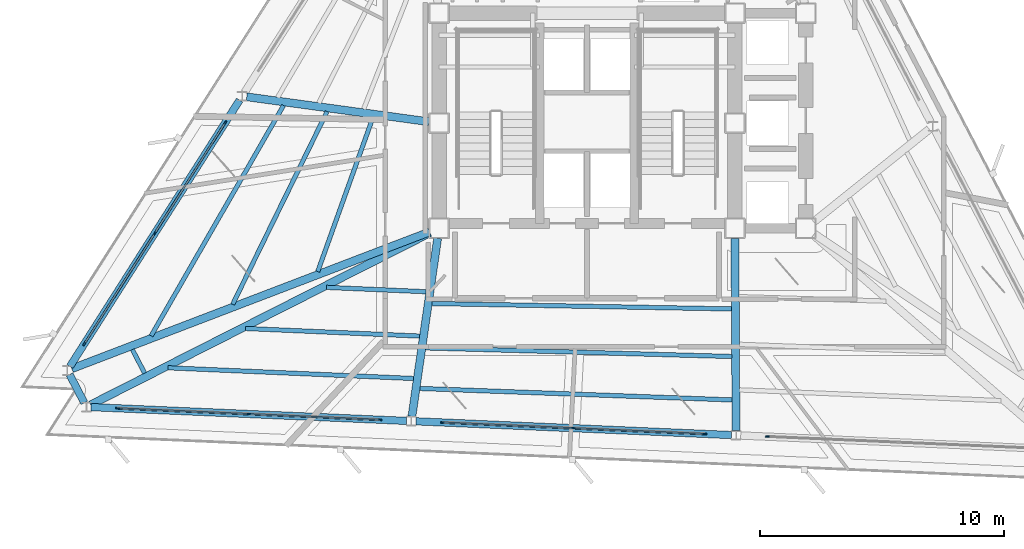
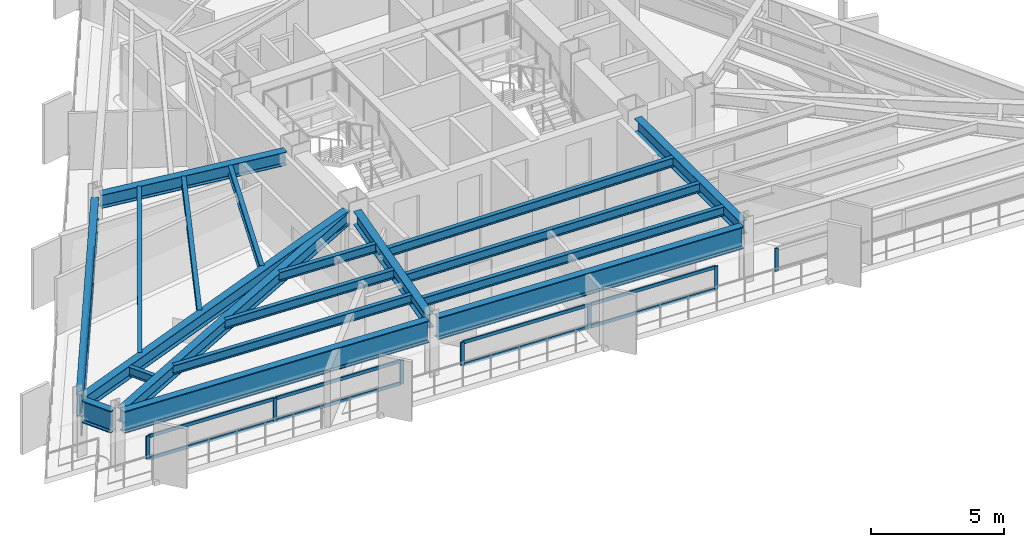
# One storey, part 2 of 12: 22 members, 19 beams, 4 elements without a shape of their own.
"""IFC4 building model written with IfcOpenShell, lengths in metres."""

from ifc_helpers import new_model, si_unit, direction, frame, origin, origin_2d, place, context, subcontext, project, spatial, rectangle, i_section, extrude, material, layer, layer_set, material_profile, profile_set, type_object, element, aggregate, save


model = new_model("IFC4")

# Units and contexts
model_context = context("Model", 3, precision=1e-05, world=origin(), true_north=direction((0.0, 1.0)))
body_context = subcontext(model_context, "Body", "Model", "MODEL_VIEW")
ifc_project = project(units=[si_unit("LENGTHUNIT", "METRE"), si_unit("AREAUNIT", "SQUARE_METRE"), si_unit("VOLUMEUNIT", "CUBIC_METRE"), si_unit("PLANEANGLEUNIT", "RADIAN"), si_unit("MASSUNIT", "GRAM", prefix="KILO")], contexts=[model_context])

# Site, building, storey
site_placement = place(None, origin())
site = spatial("IfcSite", under=ifc_project, at=site_placement, CompositionType="ELEMENT")
building_placement = place(site_placement, origin())
building = spatial("IfcBuilding", under=site, at=building_placement, Name="Rocaltana Carrier Exchange", CompositionType="ELEMENT")
storey_placement = place(building_placement, frame((0.0, 0.0, 144.159912109375)))
storey = spatial("IfcBuildingStorey", under=building, at=storey_placement, Name="L45", CompositionType="ELEMENT", Elevation=144.159912109375)

# Curtain wall, members
ifc_material_1 = material(Name="Aluminium 6063-T6", Category="aluminium")
ifc_layer = layer(ifc_material_1, 0.14990234375)
ifc_layer_set = layer_set([ifc_layer], Name="Aluminium 6063-T6")
curtain_wall_type = type_object("IfcCurtainWallType", Name="Mid-Tower Unitised Curtain Wall CW-03", PredefinedType="NOTDEFINED", material=ifc_layer_set)
curtain_wall_1_placement = place(storey_placement, origin())
curtain_wall_1 = element("IfcCurtainWall", 1, at=curtain_wall_1_placement, inside=storey, type_object=curtain_wall_type, Name="L45 CW-03 Run CW-L45-F2S3", PredefinedType="NOTDEFINED")
ifc_material_2 = material(Name="Aluminium 6063-T6", Category="aluminium")
ifc_material_profile_1 = material_profile(ifc_material_2, rectangle(XDim=0.06005859375, YDim=0.14990234375, at=origin_2d()), Name="AL-60X150")
ifc_profile_set_1 = profile_set([ifc_material_profile_1], Name="Aluminium 6063-T6")
member_type_1 = type_object("IfcMemberType", Name="CW-03 Mullion AL-60X150", PredefinedType="MULLION", material=ifc_profile_set_1)
member_1_placement = place(storey_placement, frame((-14.79541015625, 0.023193359375, 0.0), z_axis=(0.0, 0.0, 1.0), x_axis=(0.843390685726, -0.537300801443, 0.0)))
member_1 = element("IfcMember", 2, at=member_1_placement, type_object=member_type_1, Name="CW-03 mullion 1", PredefinedType="MULLION", context=body_context, shape_type="SweptSolid", body=[
    extrude(rectangle(XDim=0.06005859375, YDim=0.14990234375, at=origin_2d()), origin(), (0.0, 0.0, 1.0), 1.078125),
])
member_2_placement = place(storey_placement, frame((-17.680908203125, -4.505859375, 0.0), z_axis=(0.0, 0.0, 1.0), x_axis=(0.843390685726, -0.537300801443, 0.0)))
member_2 = element("IfcMember", 3, at=member_2_placement, type_object=member_type_1, Name="CW-03 mullion 2", PredefinedType="MULLION", context=body_context, shape_type="SweptSolid", body=[
    extrude(rectangle(XDim=0.06005859375, YDim=0.14990234375, at=origin_2d()), origin(), (0.0, 0.0, 1.0), 1.078125),
])
member_3_placement = place(storey_placement, frame((-20.566162109375, -9.034912109375, 0.0), z_axis=(0.0, 0.0, 1.0), x_axis=(0.843390685726, -0.537300801443, 0.0)))
member_3 = element("IfcMember", 4, at=member_3_placement, type_object=member_type_1, Name="CW-03 mullion 3", PredefinedType="MULLION", context=body_context, shape_type="SweptSolid", body=[
    extrude(rectangle(XDim=0.06005859375, YDim=0.14990234375, at=origin_2d()), origin(), (0.0, 0.0, 1.0), 1.078125),
])

curtain_wall_2_placement = place(storey_placement, origin())
curtain_wall_2 = element("IfcCurtainWall", 5, at=curtain_wall_2_placement, inside=storey, type_object=curtain_wall_type, Name="L45 CW-03 Run CW-L45-F3S1", PredefinedType="NOTDEFINED")
member_4_placement = place(storey_placement, frame((-19.197021484375, -11.66455078125, 0.0), z_axis=(0.0, 0.0, 1.0), x_axis=(0.043629290456, 0.999047789154, 0.0)))
member_4 = element("IfcMember", 6, at=member_4_placement, type_object=member_type_1, Name="CW-03 mullion 1", PredefinedType="MULLION", context=body_context, shape_type="SweptSolid", body=[
    extrude(rectangle(XDim=0.06005859375, YDim=0.14990234375, at=origin_2d()), origin(), (0.0, 0.0, 1.0), 1.078125),
])
member_5_placement = place(storey_placement, frame((-13.832275390625, -11.89892578125, 0.0), z_axis=(0.0, 0.0, 1.0), x_axis=(0.043629290456, 0.999047789154, 0.0)))
member_5 = element("IfcMember", 7, at=member_5_placement, type_object=member_type_1, Name="CW-03 mullion 2", PredefinedType="MULLION", context=body_context, shape_type="SweptSolid", body=[
    extrude(rectangle(XDim=0.06005859375, YDim=0.14990234375, at=origin_2d()), origin(), (0.0, 0.0, 1.0), 1.078125),
])
member_6_placement = place(storey_placement, frame((-8.46728515625, -12.13330078125, 0.0), z_axis=(0.0, 0.0, 1.0), x_axis=(0.043629290456, 0.999047789154, 0.0)))
member_6 = element("IfcMember", 8, at=member_6_placement, type_object=member_type_1, Name="CW-03 mullion 3", PredefinedType="MULLION", context=body_context, shape_type="SweptSolid", body=[
    extrude(rectangle(XDim=0.06005859375, YDim=0.14990234375, at=origin_2d()), origin(), (0.0, 0.0, 1.0), 1.078125),
])

curtain_wall_3_placement = place(storey_placement, origin())
curtain_wall_3 = element("IfcCurtainWall", 9, at=curtain_wall_3_placement, inside=storey, type_object=curtain_wall_type, Name="L45 CW-03 Run CW-L45-F3S2", PredefinedType="NOTDEFINED")
member_7_placement = place(storey_placement, frame((-5.90966796875, -12.244873046875, 0.0), z_axis=(0.0, 0.0, 1.0), x_axis=(0.043620452398, 0.999048175081, 0.0)))
member_7 = element("IfcMember", 10, at=member_7_placement, type_object=member_type_1, Name="CW-03 mullion 1", PredefinedType="MULLION", context=body_context, shape_type="SweptSolid", body=[
    extrude(rectangle(XDim=0.06005859375, YDim=0.14990234375, at=origin_2d()), origin(), (0.0, 0.0, 1.0), 1.078125),
])
member_8_placement = place(storey_placement, frame((-0.544921875, -12.47900390625, 0.0), z_axis=(0.0, 0.0, 1.0), x_axis=(0.043620452398, 0.999048175081, 0.0)))
member_8 = element("IfcMember", 11, at=member_8_placement, type_object=member_type_1, Name="CW-03 mullion 2", PredefinedType="MULLION", context=body_context, shape_type="SweptSolid", body=[
    extrude(rectangle(XDim=0.06005859375, YDim=0.14990234375, at=origin_2d()), origin(), (0.0, 0.0, 1.0), 1.078125),
])
member_9_placement = place(storey_placement, frame((4.820068359375, -12.71337890625, 0.0), z_axis=(0.0, 0.0, 1.0), x_axis=(0.043620452398, 0.999048175081, 0.0)))
member_9 = element("IfcMember", 12, at=member_9_placement, type_object=member_type_1, Name="CW-03 mullion 3", PredefinedType="MULLION", context=body_context, shape_type="SweptSolid", body=[
    extrude(rectangle(XDim=0.06005859375, YDim=0.14990234375, at=origin_2d()), origin(), (0.0, 0.0, 1.0), 1.078125),
])

# Curtain wall, member
curtain_wall_4_placement = place(storey_placement, origin())
curtain_wall_4 = element("IfcCurtainWall", 13, at=curtain_wall_4_placement, inside=storey, type_object=curtain_wall_type, Name="L45 CW-03 Run CW-L45-F3S3", PredefinedType="NOTDEFINED")
member_10_placement = place(storey_placement, frame((7.377685546875, -12.824951171875, 0.0), z_axis=(0.0, 0.0, 1.0), x_axis=(0.043629290456, 0.999047789154, 0.0)))
member_10 = element("IfcMember", 14, at=member_10_placement, type_object=member_type_1, Name="CW-03 mullion 1", PredefinedType="MULLION", context=body_context, shape_type="SweptSolid", body=[
    extrude(rectangle(XDim=0.06005859375, YDim=0.14990234375, at=origin_2d()), origin(), (0.0, 0.0, 1.0), 1.078125),
])
aggregate(curtain_wall_4, [member_10])

# Member
ifc_material_3 = material(Name="Aluminium 6063-T6", Category="aluminium")
ifc_material_profile_2 = material_profile(ifc_material_3, rectangle(XDim=0.06005859375, YDim=0.14990234375, at=origin_2d()), Name="AL-60X150")
ifc_profile_set_2 = profile_set([ifc_material_profile_2], Name="Aluminium 6063-T6")
member_type_2 = type_object("IfcMemberType", Name="CW-03 Transom AL-60X150", PredefinedType="USERDEFINED", material=ifc_profile_set_2)
member_11_placement = place(storey_placement, frame((-14.8115234375, -0.001953125, 0.030029296875), z_axis=(-0.537318678484, -0.843379296493, 0.0), x_axis=(0.843379296493, -0.537318678484, 0.0)))
member_11 = element("IfcMember", 15, at=member_11_placement, type_object=member_type_2, Name="CW-03 transom 1.1", ObjectType="TRANSOM", PredefinedType="USERDEFINED", context=body_context, shape_type="SweptSolid", body=[
    extrude(rectangle(XDim=0.06005859375, YDim=0.14990234375, at=origin_2d()), origin(), (0.0, 0.0, 1.0), 5.310302734375),
])

member_12_placement = place(storey_placement, frame((-14.8115234375, -0.001953125, 1.048095703125), z_axis=(-0.537318678484, -0.843379296493, 0.0), x_axis=(0.843379296493, -0.537318678484, 0.0)))
member_12 = element("IfcMember", 16, at=member_12_placement, type_object=member_type_2, Name="CW-03 transom 1.2", ObjectType="TRANSOM", PredefinedType="USERDEFINED", context=body_context, shape_type="SweptSolid", body=[
    extrude(rectangle(XDim=0.06005859375, YDim=0.14990234375, at=origin_2d()), origin(), (0.0, 0.0, 1.0), 5.310302734375),
])

member_13_placement = place(storey_placement, frame((-17.697021484375, -4.531005859375, 0.030029296875), z_axis=(-0.537285975238, -0.843400130906, 0.0), x_axis=(0.843400130906, -0.537285975238, 0.0)))
member_13 = element("IfcMember", 17, at=member_13_placement, type_object=member_type_2, Name="CW-03 transom 2.1", ObjectType="TRANSOM", PredefinedType="USERDEFINED", context=body_context, shape_type="SweptSolid", body=[
    extrude(rectangle(XDim=0.06005859375, YDim=0.14990234375, at=origin_2d()), origin(), (0.0, 0.0, 1.0), 5.31005859375),
])

member_14_placement = place(storey_placement, frame((-17.697021484375, -4.531005859375, 1.048095703125), z_axis=(-0.537285975238, -0.843400130906, 0.0), x_axis=(0.843400130906, -0.537285975238, 0.0)))
member_14 = element("IfcMember", 18, at=member_14_placement, type_object=member_type_2, Name="CW-03 transom 2.2", ObjectType="TRANSOM", PredefinedType="USERDEFINED", context=body_context, shape_type="SweptSolid", body=[
    extrude(rectangle(XDim=0.06005859375, YDim=0.14990234375, at=origin_2d()), origin(), (0.0, 0.0, 1.0), 5.31005859375),
])

aggregate(curtain_wall_1, [member_1, member_2, member_3, member_11, member_12, member_13, member_14])

member_15_placement = place(storey_placement, frame((-19.167236328125, -11.666015625, 0.030029296875), z_axis=(0.999047725225, -0.043630754314, 0.0), x_axis=(0.043630754314, 0.999047725225, 0.0)))
member_15 = element("IfcMember", 19, at=member_15_placement, type_object=member_type_2, Name="CW-03 transom 1.1", ObjectType="TRANSOM", PredefinedType="USERDEFINED", context=body_context, shape_type="SweptSolid", body=[
    extrude(rectangle(XDim=0.06005859375, YDim=0.14990234375, at=origin_2d()), origin(), (0.0, 0.0, 1.0), 5.310302734375),
])

member_16_placement = place(storey_placement, frame((-19.167236328125, -11.666015625, 1.048095703125), z_axis=(0.999047725225, -0.043630754314, 0.0), x_axis=(0.043630754314, 0.999047725225, 0.0)))
member_16 = element("IfcMember", 20, at=member_16_placement, type_object=member_type_2, Name="CW-03 transom 1.2", ObjectType="TRANSOM", PredefinedType="USERDEFINED", context=body_context, shape_type="SweptSolid", body=[
    extrude(rectangle(XDim=0.06005859375, YDim=0.14990234375, at=origin_2d()), origin(), (0.0, 0.0, 1.0), 5.310302734375),
])

member_17_placement = place(storey_placement, frame((-13.80224609375, -11.900146484375, 0.030029296875), z_axis=(0.999047637698, -0.043632758442, 0.0), x_axis=(0.043632758442, 0.999047637698, 0.0)))
member_17 = element("IfcMember", 21, at=member_17_placement, type_object=member_type_2, Name="CW-03 transom 2.1", ObjectType="TRANSOM", PredefinedType="USERDEFINED", context=body_context, shape_type="SweptSolid", body=[
    extrude(rectangle(XDim=0.06005859375, YDim=0.14990234375, at=origin_2d()), origin(), (0.0, 0.0, 1.0), 5.31005859375),
])

member_18_placement = place(storey_placement, frame((-13.80224609375, -11.900146484375, 1.048095703125), z_axis=(0.999047637698, -0.043632758442, 0.0), x_axis=(0.043632758442, 0.999047637698, 0.0)))
member_18 = element("IfcMember", 22, at=member_18_placement, type_object=member_type_2, Name="CW-03 transom 2.2", ObjectType="TRANSOM", PredefinedType="USERDEFINED", context=body_context, shape_type="SweptSolid", body=[
    extrude(rectangle(XDim=0.06005859375, YDim=0.14990234375, at=origin_2d()), origin(), (0.0, 0.0, 1.0), 5.31005859375),
])

aggregate(curtain_wall_2, [member_4, member_5, member_6, member_15, member_16, member_17, member_18])

member_19_placement = place(storey_placement, frame((-5.879638671875, -12.24609375, 0.030029296875), z_axis=(0.999047637698, -0.043632758442, 0.0), x_axis=(0.043632758442, 0.999047637698, 0.0)))
member_19 = element("IfcMember", 23, at=member_19_placement, type_object=member_type_2, Name="CW-03 transom 1.1", ObjectType="TRANSOM", PredefinedType="USERDEFINED", context=body_context, shape_type="SweptSolid", body=[
    extrude(rectangle(XDim=0.06005859375, YDim=0.14990234375, at=origin_2d()), origin(), (0.0, 0.0, 1.0), 5.31005859375),
])

member_20_placement = place(storey_placement, frame((-5.879638671875, -12.24609375, 1.048095703125), z_axis=(0.999047637698, -0.043632758442, 0.0), x_axis=(0.043632758442, 0.999047637698, 0.0)))
member_20 = element("IfcMember", 24, at=member_20_placement, type_object=member_type_2, Name="CW-03 transom 1.2", ObjectType="TRANSOM", PredefinedType="USERDEFINED", context=body_context, shape_type="SweptSolid", body=[
    extrude(rectangle(XDim=0.06005859375, YDim=0.14990234375, at=origin_2d()), origin(), (0.0, 0.0, 1.0), 5.31005859375),
])

member_21_placement = place(storey_placement, frame((-0.514892578125, -12.48046875, 0.030029296875), z_axis=(0.999049640868, -0.04358686822, 0.0), x_axis=(0.04358686822, 0.999049640868, 0.0)))
member_21 = element("IfcMember", 25, at=member_21_placement, type_object=member_type_2, Name="CW-03 transom 2.1", ObjectType="TRANSOM", PredefinedType="USERDEFINED", context=body_context, shape_type="SweptSolid", body=[
    extrude(rectangle(XDim=0.06005859375, YDim=0.14990234375, at=origin_2d()), origin(), (0.0, 0.0, 1.0), 5.31005859375),
])

member_22_placement = place(storey_placement, frame((-0.514892578125, -12.48046875, 1.048095703125), z_axis=(0.999049640868, -0.04358686822, 0.0), x_axis=(0.04358686822, 0.999049640868, 0.0)))
member_22 = element("IfcMember", 26, at=member_22_placement, type_object=member_type_2, Name="CW-03 transom 2.2", ObjectType="TRANSOM", PredefinedType="USERDEFINED", context=body_context, shape_type="SweptSolid", body=[
    extrude(rectangle(XDim=0.06005859375, YDim=0.14990234375, at=origin_2d()), origin(), (0.0, 0.0, 1.0), 5.31005859375),
])

aggregate(curtain_wall_3, [member_7, member_8, member_9, member_19, member_20, member_21, member_22])

# Beams
ifc_material_4 = material(Name="Steel S355", Category="steel")
ifc_material_profile_3 = material_profile(ifc_material_4, i_section(OverallWidth=0.179931640625, OverallDepth=0.4130859375, WebThickness=0.009765625, FlangeThickness=0.01611328125, FilletRadius=0.012939453125, at=origin_2d()), Name="W16X50")
ifc_profile_set_3 = profile_set([ifc_material_profile_3], Name="Steel S355")
beam_type_1 = type_object("IfcBeamType", Name="Floor Joist W16X50", PredefinedType="JOIST", material=ifc_profile_set_3)
beam_1_placement = place(storey_placement, frame((-8.76171875, 0.217041015625, 2.41162109375), z_axis=(-0.33724376494, -0.941417358566, 0.0), x_axis=(0.941417358566, -0.33724376494, 0.0)))
element("IfcBeam", 27, at=beam_1_placement, inside=storey, type_object=beam_type_1, Name="FJ-L45-07-1", PredefinedType="JOIST", context=body_context, shape_type="SweptSolid", body=[
    extrude(i_section(OverallWidth=0.179931640625, OverallDepth=0.4130859375, WebThickness=0.009765625, FlangeThickness=0.01611328125, FilletRadius=0.012939453125, at=origin_2d()), origin(), (0.0, 0.0, 1.0), 6.680419921875),
])
beam_2_placement = place(storey_placement, frame((-10.631103515625, 0.4775390625, 2.41162109375), z_axis=(-0.439708785258, -0.898140403371, 0.0), x_axis=(0.898140403371, -0.439708785258, 0.0)))
element("IfcBeam", 28, at=beam_2_placement, inside=storey, type_object=beam_type_1, Name="FJ-L45-07-2", PredefinedType="JOIST", context=body_context, shape_type="SweptSolid", body=[
    extrude(i_section(OverallWidth=0.179931640625, OverallDepth=0.4130859375, WebThickness=0.009765625, FlangeThickness=0.01611328125, FilletRadius=0.012939453125, at=origin_2d()), origin(), (0.0, 0.0, 1.0), 8.788818359375),
])
beam_3_placement = place(storey_placement, frame((-12.412841796875, 0.724853515625, 2.41162109375), z_axis=(-0.498415428492, -0.866938325742, 0.0), x_axis=(0.866938325742, -0.498415428492, 0.0)))
element("IfcBeam", 29, at=beam_3_placement, inside=storey, type_object=beam_type_1, Name="FJ-L45-07-3", PredefinedType="JOIST", context=body_context, shape_type="SweptSolid", body=[
    extrude(i_section(OverallWidth=0.179931640625, OverallDepth=0.4130859375, WebThickness=0.009765625, FlangeThickness=0.01611328125, FilletRadius=0.012939453125, at=origin_2d()), origin(), (0.0, 0.0, 1.0), 10.871337890625),
])
beam_4_placement = place(storey_placement, frame((-18.59716796875, -9.26416015625, 2.41162109375), z_axis=(0.461805518623, -0.886981207788, 0.0), x_axis=(0.886981207788, 0.461805518623, 0.0)))
element("IfcBeam", 30, at=beam_4_placement, inside=storey, type_object=beam_type_1, Name="FJ-L45-08-3", PredefinedType="JOIST", context=body_context, shape_type="SweptSolid", body=[
    extrude(i_section(OverallWidth=0.179931640625, OverallDepth=0.4130859375, WebThickness=0.009765625, FlangeThickness=0.01611328125, FilletRadius=0.012939453125, at=origin_2d()), origin(), (0.0, 0.0, 1.0), 1.08642578125),
])
beam_5_placement = place(storey_placement, frame((-10.65478515625, -6.71875, 2.41162109375), z_axis=(0.999049367243, -0.043593139496, 0.0), x_axis=(0.043593139496, 0.999049367243, 0.0)))
element("IfcBeam", 31, at=beam_5_placement, inside=storey, type_object=beam_type_1, Name="FJ-L45-09-1", PredefinedType="JOIST", context=body_context, shape_type="SweptSolid", body=[
    extrude(i_section(OverallWidth=0.179931640625, OverallDepth=0.4130859375, WebThickness=0.009765625, FlangeThickness=0.01611328125, FilletRadius=0.012939453125, at=origin_2d()), origin(), (0.0, 0.0, 1.0), 4.0771484375),
])
beam_6_placement = place(storey_placement, frame((-13.97265625, -8.399658203125, 2.41162109375), z_axis=(0.999048136887, -0.043621327164, 0.0), x_axis=(0.043621327164, 0.999048136887, 0.0)))
element("IfcBeam", 32, at=beam_6_placement, inside=storey, type_object=beam_type_1, Name="FJ-L45-09-2", PredefinedType="JOIST", context=body_context, shape_type="SweptSolid", body=[
    extrude(i_section(OverallWidth=0.179931640625, OverallDepth=0.4130859375, WebThickness=0.009765625, FlangeThickness=0.01611328125, FilletRadius=0.012939453125, at=origin_2d()), origin(), (0.0, 0.0, 1.0), 7.135986328125),
])
beam_7_placement = place(storey_placement, frame((-17.146484375, -10.0078125, 2.41162109375), z_axis=(0.999049003147, -0.043601482906, 0.0), x_axis=(0.043601482906, 0.999049003147, 0.0)))
element("IfcBeam", 33, at=beam_7_placement, inside=storey, type_object=beam_type_1, Name="FJ-L45-09-3", PredefinedType="JOIST", context=body_context, shape_type="SweptSolid", body=[
    extrude(i_section(OverallWidth=0.179931640625, OverallDepth=0.4130859375, WebThickness=0.009765625, FlangeThickness=0.01611328125, FilletRadius=0.012939453125, at=origin_2d()), origin(), (0.0, 0.0, 1.0), 10.06201171875),
])
beam_8_placement = place(storey_placement, frame((-6.337890625, -7.37939453125, 2.41162109375), z_axis=(0.999837766755, -0.018012222821, 0.0), x_axis=(0.018012222821, 0.999837766755, 0.0)))
element("IfcBeam", 34, at=beam_8_placement, inside=storey, type_object=beam_type_1, Name="FJ-L45-10-1", PredefinedType="JOIST", context=body_context, shape_type="SweptSolid", body=[
    extrude(i_section(OverallWidth=0.179931640625, OverallDepth=0.4130859375, WebThickness=0.009765625, FlangeThickness=0.01611328125, FilletRadius=0.012939453125, at=origin_2d()), origin(), (0.0, 0.0, 1.0), 12.2529296875),
])
beam_9_placement = place(storey_placement, frame((-6.599853515625, -9.195556640625, 2.41162109375), z_axis=(0.999607887899, -0.028001258015, 0.0), x_axis=(0.028001258015, 0.999607887899, 0.0)))
element("IfcBeam", 35, at=beam_9_placement, inside=storey, type_object=beam_type_1, Name="FJ-L45-10-2", PredefinedType="JOIST", context=body_context, shape_type="SweptSolid", body=[
    extrude(i_section(OverallWidth=0.179931640625, OverallDepth=0.4130859375, WebThickness=0.009765625, FlangeThickness=0.01611328125, FilletRadius=0.012939453125, at=origin_2d()), origin(), (0.0, 0.0, 1.0), 12.529052734375),
])
beam_10_placement = place(storey_placement, frame((-6.839111328125, -10.853515625, 2.41162109375), z_axis=(0.999323856685, -0.036767233503, 0.0), x_axis=(0.036767233503, 0.999323856685, 0.0)))
element("IfcBeam", 36, at=beam_10_placement, inside=storey, type_object=beam_type_1, Name="FJ-L45-10-3", PredefinedType="JOIST", context=body_context, shape_type="SweptSolid", body=[
    extrude(i_section(OverallWidth=0.179931640625, OverallDepth=0.4130859375, WebThickness=0.009765625, FlangeThickness=0.01611328125, FilletRadius=0.012939453125, at=origin_2d()), origin(), (0.0, 0.0, 1.0), 12.7822265625),
])
ifc_material_5 = material(Name="Steel S355", Category="steel")
ifc_material_profile_4 = material_profile(ifc_material_5, i_section(OverallWidth=0.323974609375, OverallDepth=0.611083984375, WebThickness=0.0126953125, FlangeThickness=0.01904296875, FilletRadius=0.01611328125, at=origin_2d()), Name="W24X104")
ifc_profile_set_4 = profile_set([ifc_material_profile_4], Name="Steel S355")
beam_type_2 = type_object("IfcBeamType", Name="Radial Girder W24X104", PredefinedType="BEAM", material=ifc_profile_set_4)
beam_11_placement = place(storey_placement, frame((-6.463134765625, 0.056396484375, 2.3125), z_axis=(-0.99076053877, 0.135622840321, 0.0), x_axis=(-0.135622840321, -0.99076053877, 0.0)))
element("IfcBeam", 37, at=beam_11_placement, inside=storey, type_object=beam_type_2, Name="RG-L45-07", PredefinedType="BEAM", context=body_context, shape_type="SweptSolid", body=[
    extrude(i_section(OverallWidth=0.323974609375, OverallDepth=0.611083984375, WebThickness=0.0126953125, FlangeThickness=0.01904296875, FilletRadius=0.01611328125, at=origin_2d()), origin(), (0.0, 0.0, 1.0), 7.524658203125),
])
beam_12_placement = place(storey_placement, frame((-6.439453125, -4.448974609375, 2.3125), z_axis=(-0.934030584324, -0.357193039612, 0.0), x_axis=(0.357193039612, -0.934030584324, 0.0)))
element("IfcBeam", 38, at=beam_12_placement, inside=storey, type_object=beam_type_2, Name="RG-L45-08", PredefinedType="BEAM", context=body_context, shape_type="SweptSolid", body=[
    extrude(i_section(OverallWidth=0.323974609375, OverallDepth=0.611083984375, WebThickness=0.0126953125, FlangeThickness=0.01904296875, FilletRadius=0.01611328125, at=origin_2d()), origin(), (0.0, 0.0, 1.0), 15.669189453125),
])
beam_13_placement = place(storey_placement, frame((-6.422119140625, -4.488525390625, 2.3125), z_axis=(-0.892045895073, -0.45194482084, 0.0), x_axis=(0.45194482084, -0.892045895073, 0.0)))
element("IfcBeam", 39, at=beam_13_placement, inside=storey, type_object=beam_type_2, Name="RG-L45-09", PredefinedType="BEAM", context=body_context, shape_type="SweptSolid", body=[
    extrude(i_section(OverallWidth=0.323974609375, OverallDepth=0.611083984375, WebThickness=0.0126953125, FlangeThickness=0.01904296875, FilletRadius=0.01611328125, at=origin_2d()), origin(), (0.0, 0.0, 1.0), 15.563232421875),
])
beam_14_placement = place(storey_placement, frame((-6.109619140625, -4.712646484375, 2.3125), z_axis=(-0.14282324993, -0.989748210041, 0.0), x_axis=(0.989748210041, -0.14282324993, 0.0)))
element("IfcBeam", 40, at=beam_14_placement, inside=storey, type_object=beam_type_2, Name="RG-L45-10", PredefinedType="BEAM", context=body_context, shape_type="SweptSolid", body=[
    extrude(i_section(OverallWidth=0.323974609375, OverallDepth=0.611083984375, WebThickness=0.0126953125, FlangeThickness=0.01904296875, FilletRadius=0.01611328125, at=origin_2d()), origin(), (0.0, 0.0, 1.0), 7.3623046875),
])
beam_15_placement = place(storey_placement, frame((6.052490234375, -4.717041015625, 2.3125), z_axis=(0.005745782097, -0.999983492858, 0.0), x_axis=(0.999983492858, 0.005745782097, 0.0)))
element("IfcBeam", 41, at=beam_15_placement, inside=storey, type_object=beam_type_2, Name="RG-L45-11", PredefinedType="BEAM", context=body_context, shape_type="SweptSolid", body=[
    extrude(i_section(OverallWidth=0.323974609375, OverallDepth=0.611083984375, WebThickness=0.0126953125, FlangeThickness=0.01904296875, FilletRadius=0.01611328125, at=origin_2d()), origin(), (0.0, 0.0, 1.0), 7.86083984375),
])
ifc_material_6 = material(Name="Steel S460", Category="steel")
ifc_material_profile_5 = material_profile(ifc_material_6, i_section(OverallWidth=0.302001953125, OverallDepth=1.008056640625, WebThickness=0.02099609375, FlangeThickness=0.0400390625, FilletRadius=0.030029296875, at=origin_2d()), Name="HEM1000")
ifc_profile_set_5 = profile_set([ifc_material_profile_5], Name="Steel S460")
beam_type_3 = type_object("IfcBeamType", Name="Transfer Ring Girder HEM1000", PredefinedType="USERDEFINED", material=ifc_profile_set_5)
beam_16_placement = place(storey_placement, frame((-14.210693359375, 0.94140625, 2.114013671875), z_axis=(-0.53728634902, -0.843399892789, 0.0), x_axis=(0.843399892789, -0.53728634902, 0.0)))
element("IfcBeam", 42, at=beam_16_placement, inside=storey, type_object=beam_type_3, Name="SP-L45-07", ObjectType="TRANSFER GIRDER", PredefinedType="USERDEFINED", context=body_context, shape_type="SweptSolid", body=[
    extrude(i_section(OverallWidth=0.302001953125, OverallDepth=1.008056640625, WebThickness=0.02099609375, FlangeThickness=0.0400390625, FilletRadius=0.030029296875, at=origin_2d()), origin(), (0.0, 0.0, 1.0), 12.9169921875),
])
beam_17_placement = place(storey_placement, frame((-21.16552734375, -10.2841796875, 2.114013671875), z_axis=(0.461854518946, -0.886955694119, 0.0), x_axis=(0.886955694119, 0.461854518946, 0.0)))
element("IfcBeam", 43, at=beam_17_placement, inside=storey, type_object=beam_type_3, Name="SP-L45-08", ObjectType="TRANSFER GIRDER", PredefinedType="USERDEFINED", context=body_context, shape_type="SweptSolid", body=[
    extrude(i_section(OverallWidth=0.302001953125, OverallDepth=1.008056640625, WebThickness=0.02099609375, FlangeThickness=0.0400390625, FilletRadius=0.030029296875, at=origin_2d()), origin(), (0.0, 0.0, 1.0), 1.302001953125),
])
for number, where, z_axis, x_axis, name in (
    (44, (-20.28466796875, -11.6171875, 2.114013671875), (0.999048081656, -0.043622592086, 0.0), (0.043622592086, 0.999048081656, 0.0), "SP-L45-09"),
    (45, (-6.997314453125, -12.197509765625, 2.114013671875), (0.999048905187, -0.043603727426, 0.0), (0.043603727426, 0.999048905187, 0.0), "SP-L45-10"),
):
    element("IfcBeam", number, at=place(storey_placement, frame(where, z_axis=z_axis, x_axis=x_axis)), inside=storey, type_object=beam_type_3, Name=name, ObjectType="TRANSFER GIRDER", PredefinedType="USERDEFINED", context=body_context, shape_type="SweptSolid", body=[
        extrude(i_section(OverallWidth=0.302001953125, OverallDepth=1.008056640625, WebThickness=0.02099609375, FlangeThickness=0.0400390625, FilletRadius=0.030029296875, at=origin_2d()), origin(), (0.0, 0.0, 1.0), 12.9169921875),
    ])

save(model, "model.ifc")
